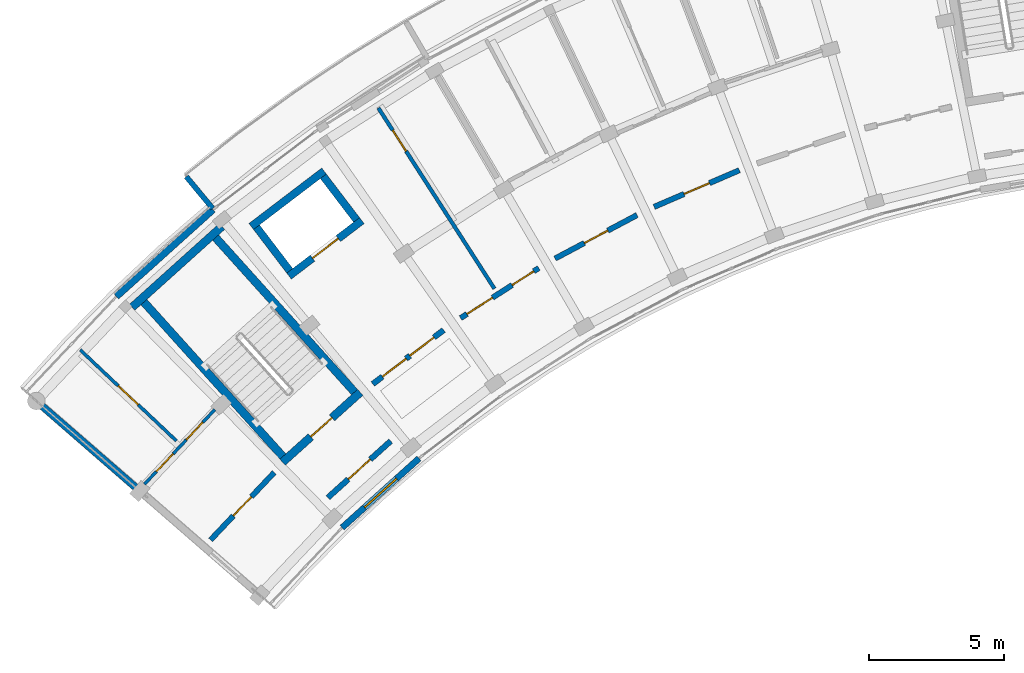
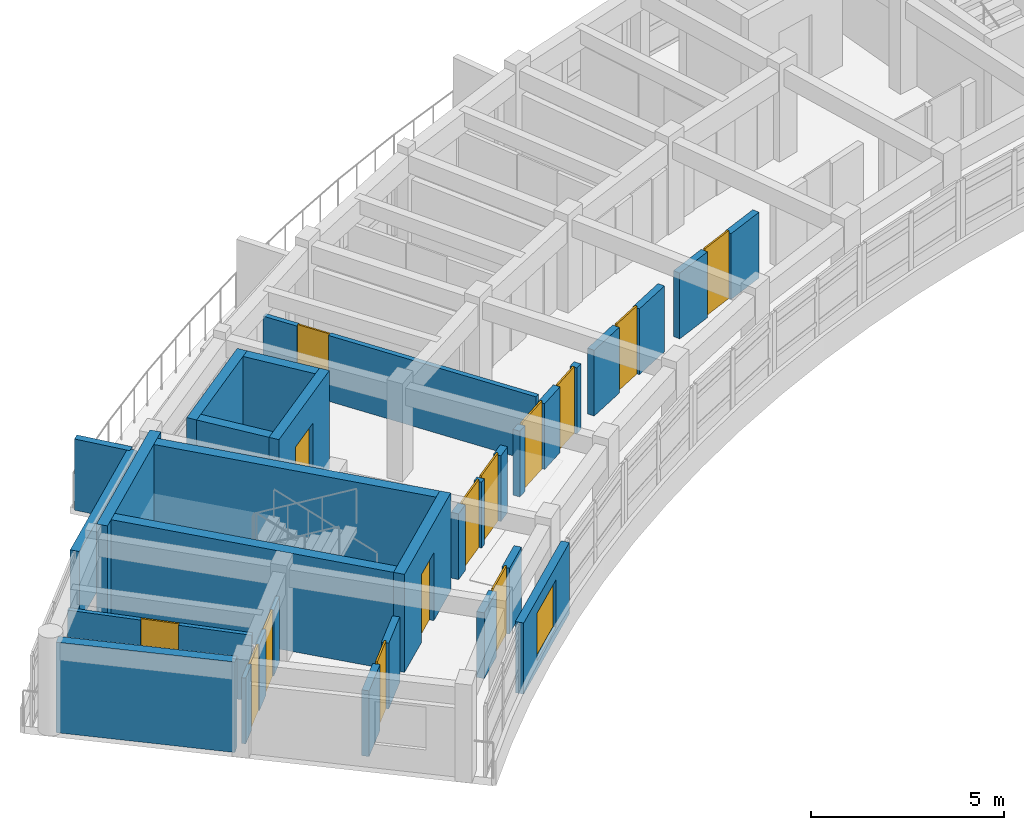
# One storey, part 15 of 20: 21 walls, 14 doors, 1 window, 15 openings.
"""IFC4 building model written with IfcOpenShell, lengths in metres."""

from ifc_helpers import new_model, si_unit, direction, frame, frame_2d, origin, place, context, subcontext, project, spatial, rectangle, extrude, material, layer, layer_set, type_object, element, fill, save


model = new_model("IFC4")

# Units and contexts
model_context = context("Model", 3, precision=1e-05, world=origin(), true_north=direction((0.0, 1.0)))
body_context = subcontext(model_context, "Body", "Model", "MODEL_VIEW")
ifc_project = project(units=[si_unit("LENGTHUNIT", "METRE"), si_unit("AREAUNIT", "SQUARE_METRE"), si_unit("VOLUMEUNIT", "CUBIC_METRE"), si_unit("PLANEANGLEUNIT", "RADIAN"), si_unit("MASSUNIT", "GRAM", prefix="KILO")], contexts=[model_context])

# Site, building, storey
site_placement = place(None, origin())
site = spatial("IfcSite", under=ifc_project, at=site_placement, CompositionType="ELEMENT")
building_placement = place(site_placement, origin())
building = spatial("IfcBuilding", under=site, at=building_placement, Name="Zimvara Arc Housing Community", CompositionType="ELEMENT")
storey_placement = place(building_placement, frame((0.0, 0.0, 39.10009765625)))
storey = spatial("IfcBuildingStorey", under=building, at=storey_placement, Name="L12", CompositionType="ELEMENT", Elevation=39.10009765625)

# Wall, opening, window
ifc_material_1 = material(Name="Board-Marked Fair-Faced Concrete C35/45", Category="concrete")
ifc_layer_1 = layer(ifc_material_1, 0.22998046875)
ifc_layer_set_1 = layer_set([ifc_layer_1], Name="Board-Marked Fair-Faced Concrete C35/45")
wall_type_1 = type_object("IfcWallType", Name="EWL-CONC-230", PredefinedType="SOLIDWALL", material=ifc_layer_set_1)
wall_1_placement = place(storey_placement, frame((11.88427734375, 78.43994140625, 0.0), z_axis=(0.0, 0.0, 1.0), x_axis=(0.743363835609, 0.668887290886, 0.0)))
wall_1 = element("IfcWall", 1, at=wall_1_placement, inside=storey, type_object=wall_type_1, Name="ewall:blkA:L12:in:b1", PredefinedType="SOLIDWALL", context=body_context, shape_type="SweptSolid", body=[
    extrude(rectangle(XDim=3.83203125, YDim=0.22998046875, at=frame_2d((1.916015625, 0.0))), origin(), (0.0, 0.0, 1.0), 2.25),
])
opening_1_placement = place(wall_1_placement, frame((1.1162109375, 0.0, 0.320068359375)))
opening_1 = element("IfcOpeningElement", 2, at=opening_1_placement, cuts=wall_1, Name="Opening W03", PredefinedType="OPENING", context=body_context, shape_type="SweptSolid", body=[
    extrude(rectangle(XDim=1.60009765625, YDim=1.5, at=frame_2d((0.800048828125, 0.75))), frame((0.0, 0.125, 0.0), z_axis=(0.0, -1.0, 0.0), x_axis=(1.0, 0.0, 0.0)), (0.0, 0.0, 1.0), 0.25),
])
ifc_material_2 = material(Name="Solar Control Low-E Double Glazing", Category="glass")
window_type = type_object("IfcWindowType", Name="WIN-RES-1600x1500", PartitioningType="DOUBLE_PANEL_VERTICAL", PredefinedType="WINDOW", material=ifc_material_2)
window_placement = place(opening_1_placement, origin())
window = element("IfcWindow", 3, at=window_placement, inside=storey, type_object=window_type, Name="win:blkA:L12:in:b1", OverallHeight=1.5, OverallWidth=1.60009765625, PartitioningType="DOUBLE_PANEL_VERTICAL", PredefinedType="WINDOW", context=body_context, shape_type="SweptSolid", body=[
    extrude(rectangle(XDim=1.60009765625, YDim=1.5, at=frame_2d((0.800048828125, 0.75))), frame((0.0, 0.030029296875, 0.0), z_axis=(0.0, -1.0, 0.0), x_axis=(1.0, 0.0, 0.0)), (0.0, 0.0, 1.0), 0.06005859375),
])
fill(opening_1, window)

# Walls
ifc_material_3 = material(Name="Board-Marked Fair-Faced Concrete C35/45", Category="concrete")
ifc_layer_2 = layer(ifc_material_3, 0.195068359375)
ifc_layer_set_2 = layer_set([ifc_layer_2], Name="Board-Marked Fair-Faced Concrete C35/45")
wall_type_2 = type_object("IfcWallType", Name="EWL-PARA-195", PredefinedType="PARAPET", material=ifc_layer_set_2)
wall_2_placement = place(storey_placement, frame((7.09228515625, 90.25732421875, 0.0), z_axis=(0.0, 0.0, 1.0), x_axis=(-0.637952984874, 0.770075313908, 0.0)))
element("IfcWall", 4, at=wall_2_placement, inside=storey, type_object=wall_type_2, Name="finwall:blkA:L12:out:b2", PredefinedType="PARAPET", context=body_context, shape_type="SweptSolid", body=[
    extrude(rectangle(XDim=1.530029296875, YDim=0.195068359375, at=frame_2d((0.76513671875, 0.0))), origin(), (0.0, 0.0, 1.0), 2.25),
])
ifc_material_4 = material(Name="Board-Marked Fair-Faced Concrete C35/45", Category="concrete")
ifc_layer_3 = layer(ifc_material_4, 0.251953125)
ifc_layer_set_3 = layer_set([ifc_layer_3], Name="Board-Marked Fair-Faced Concrete C35/45")
wall_type_3 = type_object("IfcWallType", Name="EWL-VAR-18", PredefinedType="SOLIDWALL", material=ifc_layer_set_3)
wall_3_placement = place(storey_placement, frame((3.528076171875, 86.996826171875, 0.0), z_axis=(0.0, 0.0, 1.0), x_axis=(0.743387539862, 0.668860946369, 0.0)))
element("IfcWall", 5, at=wall_3_placement, inside=storey, type_object=wall_type_3, Name="ewall:blkA:L12:out:b1", PredefinedType="SOLIDWALL", context=body_context, shape_type="SweptSolid", body=[
    extrude(rectangle(XDim=4.80908203125, YDim=0.251953125, at=frame_2d((2.404541015625, 0.0))), origin(), (0.0, 0.0, 1.0), 2.25),
])

# Wall, opening, door
ifc_material_5 = material(Name="Concrete C35/45", Category="concrete")
ifc_layer_4 = layer(ifc_material_5, 0.2099609375)
ifc_layer_set_4 = layer_set([ifc_layer_4], Name="Concrete C35/45")
wall_type_4 = type_object("IfcWallType", Name="IWL-CCF-210", PredefinedType="SOLIDWALL", material=ifc_layer_set_4)
wall_4_placement = place(storey_placement, frame((11.357177734375, 79.5517578125, 0.0), z_axis=(0.0, 0.0, 1.0), x_axis=(0.743387266925, 0.668861249718, 0.0)))
wall_4 = element("IfcWall", 6, at=wall_4_placement, inside=storey, type_object=wall_type_4, Name="iwall:blkA:L12:ccf_div:b1", PredefinedType="SOLIDWALL", context=body_context, shape_type="SweptSolid", body=[
    extrude(rectangle(XDim=3.12841796875, YDim=0.2099609375, at=frame_2d((1.564208984375, 0.0))), origin(), (0.0, 0.0, 1.0), 2.079833984375),
])
opening_2_placement = place(wall_4_placement, frame((1.014404296875, 0.0, 0.0)))
opening_2 = element("IfcOpeningElement", 7, at=opening_2_placement, cuts=wall_4, Name="Opening FD-CCF1", PredefinedType="OPENING", context=body_context, shape_type="SweptSolid", body=[
    extrude(rectangle(XDim=1.10009765625, YDim=2.14990234375, at=frame_2d((0.550048828125, 1.074951171875))), frame((0.0, 0.114990234375, 0.0), z_axis=(0.0, -1.0, 0.0), x_axis=(1.0, 0.0, 0.0)), (0.0, 0.0, 1.0), 0.22998046875),
])
ifc_material_6 = material(Name="Anodised Aluminium AW-6063", Category="aluminium")
door_type_1 = type_object("IfcDoorType", Name="IDR-CCF-1100x2150", OperationType="NOTDEFINED", PredefinedType="DOOR", material=ifc_material_6)
door_1_placement = place(opening_2_placement, origin())
door_1 = element("IfcDoor", 8, at=door_1_placement, inside=storey, type_object=door_type_1, Name="idoor:blkA:L12:ccf_in:b1", OperationType="SINGLE_SWING_RIGHT", OverallHeight=2.14990234375, OverallWidth=1.10009765625, PredefinedType="DOOR", context=body_context, shape_type="SweptSolid", body=[
    extrude(rectangle(XDim=1.10009765625, YDim=2.14990234375, at=frame_2d((0.550048828125, 1.074951171875))), frame((0.0, 0.02490234375, 0.0), z_axis=(0.0, -1.0, 0.0), x_axis=(1.0, 0.0, 0.0)), (0.0, 0.0, 1.0), 0.050048828125),
])
fill(opening_2, door_1)

# Wall, openings, doors
wall_5_placement = place(storey_placement, frame((13.021240234375, 83.758544921875, 0.0), z_axis=(0.0, 0.0, 1.0), x_axis=(0.795498026433, 0.605956178235, 0.0)))
wall_5 = element("IfcWall", 9, at=wall_5_placement, inside=storey, type_object=wall_type_4, Name="iwall:blkA:L12:ll_div:b2", PredefinedType="SOLIDWALL", context=body_context, shape_type="SweptSolid", body=[
    extrude(rectangle(XDim=3.296142578125, YDim=0.2099609375, at=frame_2d((1.64794921875, 0.0))), origin(), (0.0, 0.0, 1.0), 2.079833984375),
])
opening_3_placement = place(wall_5_placement, frame((0.449951171875, 0.0, 0.0)))
opening_3 = element("IfcOpeningElement", 10, at=opening_3_placement, cuts=wall_5, Name="Opening FD-CCF1", PredefinedType="OPENING", context=body_context, shape_type="SweptSolid", body=[
    extrude(rectangle(XDim=1.10009765625, YDim=2.14990234375, at=frame_2d((0.550048828125, 1.074951171875))), frame((0.0, 0.114990234375, 0.0), z_axis=(0.0, -1.0, 0.0), x_axis=(1.0, 0.0, 0.0)), (0.0, 0.0, 1.0), 0.22998046875),
])
opening_4_placement = place(wall_5_placement, frame((1.72607421875, 0.0, 0.0)))
opening_4 = element("IfcOpeningElement", 11, at=opening_4_placement, cuts=wall_5, Name="Opening D07", PredefinedType="OPENING", context=body_context, shape_type="SweptSolid", body=[
    extrude(rectangle(XDim=1.1201171875, YDim=2.14990234375, at=frame_2d((0.56005859375, 1.074951171875))), frame((0.0, 0.114990234375, 0.0), z_axis=(0.0, -1.0, 0.0), x_axis=(1.0, 0.0, 0.0)), (0.0, 0.0, 1.0), 0.22998046875),
])
ifc_material_7 = material(Name="Mozambican Hardwood", Category="wood")
door_type_2 = type_object("IfcDoorType", Name="IDR-AMN-1120x2150", OperationType="NOTDEFINED", PredefinedType="DOOR", material=ifc_material_7)
door_2_placement = place(opening_4_placement, origin())
door_2 = element("IfcDoor", 12, at=door_2_placement, inside=storey, type_object=door_type_2, Name="idoor:blkA:L12:rs_in:b2", OperationType="SINGLE_SWING_RIGHT", OverallHeight=2.14990234375, OverallWidth=1.1201171875, PredefinedType="DOOR", context=body_context, shape_type="SweptSolid", body=[
    extrude(rectangle(XDim=1.1201171875, YDim=2.14990234375, at=frame_2d((0.56005859375, 1.074951171875))), frame((0.0, 0.02490234375, 0.0), z_axis=(0.0, -1.0, 0.0), x_axis=(1.0, 0.0, 0.0)), (0.0, 0.0, 1.0), 0.050048828125),
])
fill(opening_4, door_2)
door_3_placement = place(opening_3_placement, origin())
door_3 = element("IfcDoor", 13, at=door_3_placement, inside=storey, type_object=door_type_1, Name="idoor:blkA:L12:ll_in:b2", OperationType="SINGLE_SWING_LEFT", OverallHeight=2.14990234375, OverallWidth=1.10009765625, PredefinedType="DOOR", context=body_context, shape_type="SweptSolid", body=[
    extrude(rectangle(XDim=1.10009765625, YDim=2.14990234375, at=frame_2d((0.550048828125, 1.074951171875))), frame((0.0, 0.02490234375, 0.0), z_axis=(0.0, -1.0, 0.0), x_axis=(1.0, 0.0, 0.0)), (0.0, 0.0, 1.0), 0.050048828125),
])
fill(opening_3, door_3)

# Wall, opening, door
ifc_material_8 = material(Name="Concrete C35/45", Category="concrete")
ifc_layer_5 = layer(ifc_material_8, 0.199951171875)
ifc_layer_set_5 = layer_set([ifc_layer_5], Name="Concrete C35/45")
wall_type_5 = type_object("IfcWallType", Name="IWL-CORR-200", PredefinedType="SOLIDWALL", material=ifc_layer_set_5)
wall_6_placement = place(storey_placement, frame((7.01416015625, 77.98388671875, 0.0), z_axis=(0.0, 0.0, 1.0), x_axis=(0.686310507227, 0.727308660522, 0.0)))
wall_6 = element("IfcWall", 14, at=wall_6_placement, inside=storey, type_object=wall_type_5, Name="iwall:blkA:L12:corr_out:b0", PredefinedType="SOLIDWALL", context=body_context, shape_type="SweptSolid", body=[
    extrude(rectangle(XDim=3.43603515625, YDim=0.199951171875, at=frame_2d((1.718017578125, 0.0))), origin(), (0.0, 0.0, 1.0), 2.079833984375),
])
opening_5_placement = place(wall_6_placement, frame((1.22802734375, 0.0, 0.0)))
opening_5 = element("IfcOpeningElement", 15, at=opening_5_placement, cuts=wall_6, Name="Opening FD-FL1", PredefinedType="OPENING", context=body_context, shape_type="SweptSolid", body=[
    extrude(rectangle(XDim=0.97998046875, YDim=2.14990234375, at=frame_2d((0.489990234375, 1.074951171875))), frame((0.0, 0.10986328125, 0.0), z_axis=(0.0, -1.0, 0.0), x_axis=(1.0, 0.0, 0.0)), (0.0, 0.0, 1.0), 0.219970703125),
])
ifc_material_9 = material(Name="Mozambican Hardwood", Category="wood")
door_type_3 = type_object("IfcDoorType", Name="IDR-FLAT-0980x2150", OperationType="NOTDEFINED", PredefinedType="DOOR", material=ifc_material_9)
door_4_placement = place(opening_5_placement, origin())
door_4 = element("IfcDoor", 16, at=door_4_placement, inside=storey, type_object=door_type_3, Name="idoor:blkA:L12:flat:b0", OperationType="SINGLE_SWING_RIGHT", OverallHeight=2.14990234375, OverallWidth=0.97998046875, PredefinedType="DOOR", context=body_context, shape_type="SweptSolid", body=[
    extrude(rectangle(XDim=0.97998046875, YDim=2.14990234375, at=frame_2d((0.489990234375, 1.074951171875))), frame((0.0, 0.02490234375, 0.0), z_axis=(0.0, -1.0, 0.0), x_axis=(1.0, 0.0, 0.0)), (0.0, 0.0, 1.0), 0.050048828125),
])
fill(opening_5, door_4)

# Wall, openings, doors
wall_7_placement = place(storey_placement, frame((16.272216796875, 86.198974609375, 0.0), z_axis=(0.0, 0.0, 1.0), x_axis=(0.842257205985, 0.539075874963, 0.0)))
wall_7 = element("IfcWall", 17, at=wall_7_placement, inside=storey, type_object=wall_type_5, Name="iwall:blkA:L12:corr_out:b3", PredefinedType="SOLIDWALL", context=body_context, shape_type="SweptSolid", body=[
    extrude(rectangle(XDim=3.43603515625, YDim=0.199951171875, at=frame_2d((1.718017578125, 0.0))), origin(), (0.0, 0.0, 1.0), 2.079833984375),
])
opening_6_placement = place(wall_7_placement, frame((0.280029296875, 0.0, 0.0)))
opening_6 = element("IfcOpeningElement", 18, at=opening_6_placement, cuts=wall_7, Name="Opening D07", PredefinedType="OPENING", context=body_context, shape_type="SweptSolid", body=[
    extrude(rectangle(XDim=1.1201171875, YDim=2.14990234375, at=frame_2d((0.56005859375, 1.074951171875))), frame((0.0, 0.10986328125, 0.0), z_axis=(0.0, -1.0, 0.0), x_axis=(1.0, 0.0, 0.0)), (0.0, 0.0, 1.0), 0.219970703125),
])
opening_7_placement = place(wall_7_placement, frame((2.26611328125, 0.0, 0.0)))
opening_7 = element("IfcOpeningElement", 19, at=opening_7_placement, cuts=wall_7, Name="Opening D06", PredefinedType="OPENING", context=body_context, shape_type="SweptSolid", body=[
    extrude(rectangle(XDim=0.949951171875, YDim=2.10009765625, at=frame_2d((0.47509765625, 1.050048828125))), frame((0.0, 0.10986328125, 0.0), z_axis=(0.0, -1.0, 0.0), x_axis=(1.0, 0.0, 0.0)), (0.0, 0.0, 1.0), 0.219970703125),
])
door_5_placement = place(opening_6_placement, origin())
door_5 = element("IfcDoor", 20, at=door_5_placement, inside=storey, type_object=door_type_2, Name="idoor:blkA:L12:amen:b3", OperationType="SINGLE_SWING_LEFT", OverallHeight=2.14990234375, OverallWidth=1.1201171875, PredefinedType="DOOR", context=body_context, shape_type="SweptSolid", body=[
    extrude(rectangle(XDim=1.1201171875, YDim=2.14990234375, at=frame_2d((0.56005859375, 1.074951171875))), frame((0.0, 0.02490234375, 0.0), z_axis=(0.0, -1.0, 0.0), x_axis=(1.0, 0.0, 0.0)), (0.0, 0.0, 1.0), 0.050048828125),
])
fill(opening_6, door_5)
ifc_material_10 = material(Name="Mozambican Hardwood", Category="wood")
door_type_4 = type_object("IfcDoorType", Name="IDR-AWC-0950x2100", OperationType="NOTDEFINED", PredefinedType="DOOR", material=ifc_material_10)
door_6_placement = place(opening_7_placement, origin())
door_6 = element("IfcDoor", 21, at=door_6_placement, inside=storey, type_object=door_type_4, Name="idoor:blkA:L12:cawc:b3", OperationType="SINGLE_SWING_RIGHT", OverallHeight=2.10009765625, OverallWidth=0.949951171875, PredefinedType="DOOR", context=body_context, shape_type="SweptSolid", body=[
    extrude(rectangle(XDim=0.949951171875, YDim=2.10009765625, at=frame_2d((0.47509765625, 1.050048828125))), frame((0.0, 0.02490234375, 0.0), z_axis=(0.0, -1.0, 0.0), x_axis=(1.0, 0.0, 0.0)), (0.0, 0.0, 1.0), 0.050048828125),
])
fill(opening_7, door_6)

# Wall, opening, door
wall_8_placement = place(storey_placement, frame((19.770263671875, 88.40380859375, 0.0), z_axis=(0.0, 0.0, 1.0), x_axis=(0.883410853063, 0.468599258099, 0.0)))
wall_8 = element("IfcWall", 22, at=wall_8_placement, inside=storey, type_object=wall_type_5, Name="iwall:blkA:L12:corr_out:b4", PredefinedType="SOLIDWALL", context=body_context, shape_type="SweptSolid", body=[
    extrude(rectangle(XDim=3.43603515625, YDim=0.199951171875, at=frame_2d((1.718017578125, 0.0))), origin(), (0.0, 0.0, 1.0), 2.079833984375),
])
opening_8_placement = place(wall_8_placement, frame((1.22802734375, 0.0, 0.0)))
opening_8 = element("IfcOpeningElement", 23, at=opening_8_placement, cuts=wall_8, Name="Opening FD-FL1", PredefinedType="OPENING", context=body_context, shape_type="SweptSolid", body=[
    extrude(rectangle(XDim=0.97998046875, YDim=2.14990234375, at=frame_2d((0.489990234375, 1.074951171875))), frame((0.0, 0.10986328125, 0.0), z_axis=(0.0, -1.0, 0.0), x_axis=(1.0, 0.0, 0.0)), (0.0, 0.0, 1.0), 0.219970703125),
])
door_7_placement = place(opening_8_placement, origin())
door_7 = element("IfcDoor", 24, at=door_7_placement, inside=storey, type_object=door_type_3, Name="idoor:blkA:L12:flat:b4", OperationType="SINGLE_SWING_RIGHT", OverallHeight=2.14990234375, OverallWidth=0.97998046875, PredefinedType="DOOR", context=body_context, shape_type="SweptSolid", body=[
    extrude(rectangle(XDim=0.97998046875, YDim=2.14990234375, at=frame_2d((0.489990234375, 1.074951171875))), frame((0.0, 0.02490234375, 0.0), z_axis=(0.0, -1.0, 0.0), x_axis=(1.0, 0.0, 0.0)), (0.0, 0.0, 1.0), 0.050048828125),
])
fill(opening_8, door_7)

wall_9_placement = place(storey_placement, frame((23.4365234375, 90.31591796875, 0.0), z_axis=(0.0, 0.0, 1.0), x_axis=(0.918718172399, 0.394913813008, 0.0)))
wall_9 = element("IfcWall", 25, at=wall_9_placement, inside=storey, type_object=wall_type_5, Name="iwall:blkA:L12:corr_out:b5", PredefinedType="SOLIDWALL", context=body_context, shape_type="SweptSolid", body=[
    extrude(rectangle(XDim=3.43603515625, YDim=0.199951171875, at=frame_2d((1.718017578125, 0.0))), origin(), (0.0, 0.0, 1.0), 2.079833984375),
])
opening_9_placement = place(wall_9_placement, frame((1.2080078125, 0.0, 0.0)))
opening_9 = element("IfcOpeningElement", 26, at=opening_9_placement, cuts=wall_9, Name="Opening FD-FL2", PredefinedType="OPENING", context=body_context, shape_type="SweptSolid", body=[
    extrude(rectangle(XDim=1.02001953125, YDim=2.14990234375, at=frame_2d((0.510009765625, 1.074951171875))), frame((0.0, 0.10986328125, 0.0), z_axis=(0.0, -1.0, 0.0), x_axis=(1.0, 0.0, 0.0)), (0.0, 0.0, 1.0), 0.219970703125),
])
ifc_material_11 = material(Name="Mozambican Hardwood", Category="wood")
door_type_5 = type_object("IfcDoorType", Name="IDR-FLAT-1020x2150", OperationType="NOTDEFINED", PredefinedType="DOOR", material=ifc_material_11)
door_8_placement = place(opening_9_placement, origin())
door_8 = element("IfcDoor", 27, at=door_8_placement, inside=storey, type_object=door_type_5, Name="idoor:blkA:L12:flat:b5", OperationType="SINGLE_SWING_RIGHT", OverallHeight=2.14990234375, OverallWidth=1.02001953125, PredefinedType="DOOR", context=body_context, shape_type="SweptSolid", body=[
    extrude(rectangle(XDim=1.02001953125, YDim=2.14990234375, at=frame_2d((0.510009765625, 1.074951171875))), frame((0.0, 0.02490234375, 0.0), z_axis=(0.0, -1.0, 0.0), x_axis=(1.0, 0.0, 0.0)), (0.0, 0.0, 1.0), 0.050048828125),
])
fill(opening_9, door_8)

# Wall, openings, doors
ifc_material_12 = material(Name="Painted Acoustic Plasterboard")
ifc_layer_6 = layer(ifc_material_12, 0.114990234375)
ifc_layer_set_6 = layer_set([ifc_layer_6], Name="Painted Acoustic Plasterboard")
wall_type_6 = type_object("IfcWallType", Name="IWL-PART-115", PredefinedType="PARTITIONING", material=ifc_layer_set_6)
wall_10_placement = place(storey_placement, frame((4.564697265625, 80.046875, 0.0), z_axis=(0.0, 0.0, 1.0), x_axis=(0.686300649561, 0.727317962388, 0.0)))
wall_10 = element("IfcWall", 28, at=wall_10_placement, inside=storey, type_object=wall_type_6, Name="iwall:blkA:L12:srv:b0", PredefinedType="PARTITIONING", context=body_context, shape_type="SweptSolid", body=[
    extrude(rectangle(XDim=3.79736328125, YDim=0.114990234375, at=frame_2d((1.898681640625, 0.0))), origin(), (0.0, 0.0, 1.0), 2.079833984375),
])
opening_10_placement = place(wall_10_placement, frame((0.64990234375, 0.0, 0.0)))
opening_10 = element("IfcOpeningElement", 29, at=opening_10_placement, cuts=wall_10, Name="Opening D01", PredefinedType="OPENING", context=body_context, shape_type="SweptSolid", body=[
    extrude(rectangle(XDim=0.89990234375, YDim=2.10009765625, at=frame_2d((0.449951171875, 1.050048828125))), frame((0.0, 0.0673828125, 0.0), z_axis=(0.0, -1.0, 0.0), x_axis=(1.0, 0.0, 0.0)), (0.0, 0.0, 1.0), 0.135009765625),
])
opening_11_placement = place(wall_10_placement, frame((2.267333984375, 0.0, 0.0)))
opening_11 = element("IfcOpeningElement", 30, at=opening_11_placement, cuts=wall_10, Name="Opening D05", PredefinedType="OPENING", context=body_context, shape_type="SweptSolid", body=[
    extrude(rectangle(XDim=0.8798828125, YDim=2.10009765625, at=frame_2d((0.43994140625, 1.050048828125))), frame((0.0, 0.0673828125, 0.0), z_axis=(0.0, -1.0, 0.0), x_axis=(1.0, 0.0, 0.0)), (0.0, 0.0, 1.0), 0.135009765625),
])
ifc_material_13 = material(Name="Mozambican Hardwood", Category="wood")
door_type_6 = type_object("IfcDoorType", Name="IDR-RM-0900x2100", OperationType="NOTDEFINED", PredefinedType="DOOR", material=ifc_material_13)
door_9_placement = place(opening_10_placement, origin())
door_9 = element("IfcDoor", 31, at=door_9_placement, inside=storey, type_object=door_type_6, Name="idoor:blkA:L12:kit_liv:b0", OperationType="SINGLE_SWING_LEFT", OverallHeight=2.10009765625, OverallWidth=0.89990234375, PredefinedType="DOOR", context=body_context, shape_type="SweptSolid", body=[
    extrude(rectangle(XDim=0.89990234375, YDim=2.10009765625, at=frame_2d((0.449951171875, 1.050048828125))), frame((0.0, 0.02490234375, 0.0), z_axis=(0.0, -1.0, 0.0), x_axis=(1.0, 0.0, 0.0)), (0.0, 0.0, 1.0), 0.050048828125),
])
fill(opening_10, door_9)
ifc_material_14 = material(Name="Mozambican Hardwood", Category="wood")
door_type_7 = type_object("IfcDoorType", Name="IDR-WC-0880x2100", OperationType="NOTDEFINED", PredefinedType="DOOR", material=ifc_material_14)
door_10_placement = place(opening_11_placement, origin())
door_10 = element("IfcDoor", 32, at=door_10_placement, inside=storey, type_object=door_type_7, Name="idoor:blkA:L12:bath_d:b0", OperationType="SINGLE_SWING_RIGHT", OverallHeight=2.10009765625, OverallWidth=0.8798828125, PredefinedType="DOOR", context=body_context, shape_type="SweptSolid", body=[
    extrude(rectangle(XDim=0.8798828125, YDim=2.10009765625, at=frame_2d((0.43994140625, 1.050048828125))), frame((0.0, 0.02490234375, 0.0), z_axis=(0.0, -1.0, 0.0), x_axis=(1.0, 0.0, 0.0)), (0.0, 0.0, 1.0), 0.050048828125),
])
fill(opening_11, door_10)

# Wall, opening, door
ifc_material_15 = material(Name="Painted Acoustic Plasterboard")
ifc_layer_7 = layer(ifc_material_15, 0.1201171875)
ifc_layer_set_7 = layer_set([ifc_layer_7], Name="Painted Acoustic Plasterboard")
wall_type_7 = type_object("IfcWallType", Name="IWL-PART-120", PredefinedType="PARTITIONING", material=ifc_layer_set_7)
wall_11_placement = place(storey_placement, frame((5.745849609375, 81.6552734375, 0.0), z_axis=(0.0, 0.0, 1.0), x_axis=(-0.726295620759, 0.687382478149, 0.0)))
wall_11 = element("IfcWall", 33, at=wall_11_placement, inside=storey, type_object=wall_type_7, Name="iwall:blkA:L12:bed_div:b0", PredefinedType="PARTITIONING", context=body_context, shape_type="SweptSolid", body=[
    extrude(rectangle(XDim=4.89990234375, YDim=0.1201171875, at=frame_2d((2.449951171875, 0.0))), origin(), (0.0, 0.0, 1.0), 2.079833984375),
])
opening_12_placement = place(wall_11_placement, frame((1.945068359375, 0.0, 0.0)))
opening_12 = element("IfcOpeningElement", 34, at=opening_12_placement, cuts=wall_11, Name="Opening D15", PredefinedType="OPENING", context=body_context, shape_type="SweptSolid", body=[
    extrude(rectangle(XDim=1.010009765625, YDim=2.10009765625, at=frame_2d((0.5048828125, 1.050048828125))), frame((0.0, 0.070068359375, 0.0), z_axis=(0.0, -1.0, 0.0), x_axis=(1.0, 0.0, 0.0)), (0.0, 0.0, 1.0), 0.14013671875),
])
ifc_material_16 = material(Name="Mozambican Hardwood", Category="wood")
door_type_8 = type_object("IfcDoorType", Name="IDR-MOD-1010x2160", OperationType="NOTDEFINED", PredefinedType="DOOR", material=ifc_material_16)
door_11_placement = place(opening_12_placement, origin())
door_11 = element("IfcDoor", 35, at=door_11_placement, inside=storey, type_object=door_type_8, Name="idoor:blkA:L12:bed_d:b0", OperationType="SINGLE_SWING_LEFT", OverallHeight=2.10009765625, OverallWidth=1.010009765625, PredefinedType="DOOR", context=body_context, shape_type="SweptSolid", body=[
    extrude(rectangle(XDim=1.010009765625, YDim=2.10009765625, at=frame_2d((0.5048828125, 1.050048828125))), frame((0.0, 0.02490234375, 0.0), z_axis=(0.0, -1.0, 0.0), x_axis=(1.0, 0.0, 0.0)), (0.0, 0.0, 1.0), 0.050048828125),
])
fill(opening_12, door_11)

ifc_material_17 = material(Name="Painted Acoustic Plasterboard")
ifc_layer_8 = layer(ifc_material_17, 0.139892578125)
ifc_layer_set_8 = layer_set([ifc_layer_8], Name="Painted Acoustic Plasterboard")
wall_type_8 = type_object("IfcWallType", Name="IWL-PART-140", PredefinedType="PARTITIONING", material=ifc_layer_set_8)
wall_12_placement = place(storey_placement, frame((17.52392578125, 87.287841796875, 0.0), z_axis=(0.0, 0.0, 1.0), x_axis=(-0.540338452216, 0.841447774408, 0.0)))
wall_12 = element("IfcWall", 36, at=wall_12_placement, inside=storey, type_object=wall_type_8, Name="iwall:blkA:L12:amen_div:b3", PredefinedType="PARTITIONING", context=body_context, shape_type="SweptSolid", body=[
    extrude(rectangle(XDim=7.949951171875, YDim=0.139892578125, at=frame_2d((3.97509765625, 0.0))), origin(), (0.0, 0.0, 1.0), 2.079833984375),
])
opening_13_placement = place(wall_12_placement, frame((6.050048828125, 0.0, 0.0)))
opening_13 = element("IfcOpeningElement", 37, at=opening_13_placement, cuts=wall_12, Name="Opening D02", PredefinedType="OPENING", context=body_context, shape_type="SweptSolid", body=[
    extrude(rectangle(XDim=0.919921875, YDim=2.10009765625, at=frame_2d((0.4599609375, 1.050048828125))), frame((0.0, 0.079833984375, 0.0), z_axis=(0.0, -1.0, 0.0), x_axis=(1.0, 0.0, 0.0)), (0.0, 0.0, 1.0), 0.159912109375),
])
ifc_material_18 = material(Name="Mozambican Hardwood", Category="wood")
door_type_9 = type_object("IfcDoorType", Name="IDR-RM-0920x2100", OperationType="NOTDEFINED", PredefinedType="DOOR", material=ifc_material_18)
door_12_placement = place(opening_13_placement, origin())
door_12 = element("IfcDoor", 38, at=door_12_placement, inside=storey, type_object=door_type_9, Name="idoor:blkA:L12:laund_d:b3", OperationType="SINGLE_SWING_LEFT", OverallHeight=2.10009765625, OverallWidth=0.919921875, PredefinedType="DOOR", context=body_context, shape_type="SweptSolid", body=[
    extrude(rectangle(XDim=0.919921875, YDim=2.10009765625, at=frame_2d((0.4599609375, 1.050048828125))), frame((0.0, 0.02490234375, 0.0), z_axis=(0.0, -1.0, 0.0), x_axis=(1.0, 0.0, 0.0)), (0.0, 0.0, 1.0), 0.050048828125),
])
fill(opening_13, door_12)

ifc_material_19 = material(Name="Concrete C40/50", Category="concrete")
ifc_layer_9 = layer(ifc_material_19, 0.280029296875)
ifc_layer_set_9 = layer_set([ifc_layer_9], Name="Concrete C40/50")
wall_type_9 = type_object("IfcWallType", Name="WL-CORE-280", PredefinedType="SHEAR", material=ifc_layer_set_9)
wall_13_placement = place(storey_placement, frame((12.615966796875, 89.80712890625, 0.0), z_axis=(0.0, 0.0, 1.0), x_axis=(-0.795474703455, -0.605986795371, 0.0)))
wall_13 = element("IfcWall", 39, at=wall_13_placement, inside=storey, type_object=wall_type_9, Name="lwall:LF-A1:L12:front", PredefinedType="SHEAR", context=body_context, shape_type="SweptSolid", body=[
    extrude(rectangle(XDim=3.389892578125, YDim=0.280029296875, at=frame_2d((1.69482421875, 0.0))), origin(), (0.0, 0.0, 1.0), 3.099853515625),
])
opening_14_placement = place(wall_13_placement, frame((1.094970703125, 0.0, 0.0)))
opening_14 = element("IfcOpeningElement", 40, at=opening_14_placement, cuts=wall_13, Name="Opening LD-LF-A1", PredefinedType="OPENING", context=body_context, shape_type="SweptSolid", body=[
    extrude(rectangle(XDim=1.199951171875, YDim=2.14990234375, at=frame_2d((0.60009765625, 1.074951171875))), frame((0.0, 0.14990234375, 0.0), z_axis=(0.0, -1.0, 0.0), x_axis=(1.0, 0.0, 0.0)), (0.0, 0.0, 1.0), 0.300048828125),
])
ifc_material_20 = material(Name="Anodised Aluminium AW-6063", Category="aluminium")
door_type_10 = type_object("IfcDoorType", Name="IDR-LD-1200x2150", OperationType="DOUBLE_DOOR_SLIDING", PredefinedType="DOOR", material=ifc_material_20)
door_13_placement = place(opening_14_placement, origin())
door_13 = element("IfcDoor", 41, at=door_13_placement, inside=storey, type_object=door_type_10, Name="Lift LF-A1 Sliding Landing Door L12", OperationType="DOUBLE_DOOR_SLIDING", OverallHeight=2.14990234375, OverallWidth=1.199951171875, PredefinedType="DOOR", context=body_context, shape_type="SweptSolid", body=[
    extrude(rectangle(XDim=1.199951171875, YDim=2.14990234375, at=frame_2d((0.60009765625, 1.074951171875))), frame((0.0, 0.02490234375, 0.0), z_axis=(0.0, -1.0, 0.0), x_axis=(1.0, 0.0, 0.0)), (0.0, 0.0, 1.0), 0.050048828125),
])
fill(opening_14, door_13)

# Walls
wall_14_placement = place(storey_placement, frame((11.216064453125, 91.644775390625, 0.0), z_axis=(0.0, 0.0, 1.0), x_axis=(-0.795439986025, -0.606032365994, 0.0)))
element("IfcWall", 42, at=wall_14_placement, inside=storey, type_object=wall_type_9, Name="lwall:LF-A1:L12:back", PredefinedType="SHEAR", context=body_context, shape_type="SweptSolid", body=[
    extrude(rectangle(XDim=3.389892578125, YDim=0.280029296875, at=frame_2d((1.69482421875, 0.0))), origin(), (0.0, 0.0, 1.0), 3.099853515625),
])
wall_15_placement = place(storey_placement, frame((12.419677734375, 89.833740234375, 0.0), z_axis=(0.0, 0.0, 1.0), x_axis=(-0.605948992168, 0.795503500238, 0.0)))
element("IfcWall", 43, at=wall_15_placement, inside=storey, type_object=wall_type_9, Name="lwall:LF-A1:L12:left", PredefinedType="SHEAR", context=body_context, shape_type="SweptSolid", body=[
    extrude(rectangle(XDim=2.02978515625, YDim=0.280029296875, at=frame_2d((1.014892578125, 0.0))), origin(), (0.0, 0.0, 1.0), 3.099853515625),
])
wall_16_placement = place(storey_placement, frame((9.94580078125, 87.948974609375, 0.0), z_axis=(0.0, 0.0, 1.0), x_axis=(-0.605891019062, 0.795547656033, 0.0)))
element("IfcWall", 44, at=wall_16_placement, inside=storey, type_object=wall_type_9, Name="lwall:LF-A1:L12:right", PredefinedType="SHEAR", context=body_context, shape_type="SweptSolid", body=[
    extrude(rectangle(XDim=2.030029296875, YDim=0.280029296875, at=frame_2d((1.01513671875, 0.0))), origin(), (0.0, 0.0, 1.0), 3.099853515625),
])

# Wall, opening, door
ifc_material_21 = material(Name="Concrete C40/50", Category="concrete")
ifc_layer_10 = layer(ifc_material_21, 0.300048828125)
ifc_layer_set_10 = layer_set([ifc_layer_10], Name="Concrete C40/50")
wall_type_10 = type_object("IfcWallType", Name="WL-CORE-300", PredefinedType="SHEAR", material=ifc_layer_set_10)
wall_17_placement = place(storey_placement, frame((12.556884765625, 83.4501953125, 0.0), z_axis=(0.0, 0.0, 1.0), x_axis=(-0.743375696158, -0.668874109501, 0.0)))
wall_17 = element("IfcWall", 45, at=wall_17_placement, inside=storey, type_object=wall_type_10, Name="cwall:ST-A1:L12:near", PredefinedType="SHEAR", context=body_context, shape_type="SweptSolid", body=[
    extrude(rectangle(XDim=3.8701171875, YDim=0.300048828125, at=frame_2d((1.93505859375, 0.0))), origin(), (0.0, 0.0, 1.0), 3.099853515625),
])
opening_15_placement = place(wall_17_placement, frame((1.409912109375, 0.0, 0.0)))
opening_15 = element("IfcOpeningElement", 46, at=opening_15_placement, cuts=wall_17, Name="Opening FD-ST2", PredefinedType="OPENING", context=body_context, shape_type="SweptSolid", body=[
    extrude(rectangle(XDim=1.050048828125, YDim=2.14990234375, at=frame_2d((0.52490234375, 1.074951171875))), frame((0.0, 0.159912109375, 0.0), z_axis=(0.0, -1.0, 0.0), x_axis=(1.0, 0.0, 0.0)), (0.0, 0.0, 1.0), 0.320068359375),
])
ifc_material_22 = material(Name="Anodised Aluminium AW-6063", Category="aluminium")
door_type_11 = type_object("IfcDoorType", Name="IDR-ST-1050x2150", OperationType="NOTDEFINED", PredefinedType="DOOR", material=ifc_material_22)
door_14_placement = place(opening_15_placement, origin())
door_14 = element("IfcDoor", 47, at=door_14_placement, inside=storey, type_object=door_type_11, Name="idoor:ST-A1:L12:entry", OperationType="SINGLE_SWING_RIGHT", OverallHeight=2.14990234375, OverallWidth=1.050048828125, PredefinedType="DOOR", context=body_context, shape_type="SweptSolid", body=[
    extrude(rectangle(XDim=1.050048828125, YDim=2.14990234375, at=frame_2d((0.52490234375, 1.074951171875))), frame((0.0, 0.02490234375, 0.0), z_axis=(0.0, -1.0, 0.0), x_axis=(1.0, 0.0, 0.0)), (0.0, 0.0, 1.0), 0.050048828125),
])
fill(opening_15, door_14)

# Walls
wall_18_placement = place(storey_placement, frame((7.435546875, 89.59033203125, 0.0), z_axis=(0.0, 0.0, 1.0), x_axis=(-0.743400052815, -0.668847038922, 0.0)))
element("IfcWall", 48, at=wall_18_placement, inside=storey, type_object=wall_type_10, Name="cwall:ST-A1:L12:far", PredefinedType="SHEAR", context=body_context, shape_type="SweptSolid", body=[
    extrude(rectangle(XDim=4.469970703125, YDim=0.300048828125, at=frame_2d((2.23486328125, 0.0))), origin(), (0.0, 0.0, 1.0), 3.099853515625),
])
wall_19_placement = place(storey_placement, frame((12.344970703125, 83.461181640625, 0.0), z_axis=(0.0, 0.0, 1.0), x_axis=(-0.668868253964, 0.743380964808, 0.0)))
element("IfcWall", 49, at=wall_19_placement, inside=storey, type_object=wall_type_10, Name="cwall:ST-A1:L12:left", PredefinedType="SHEAR", context=body_context, shape_type="SweptSolid", body=[
    extrude(rectangle(XDim=7.68994140625, YDim=0.300048828125, at=frame_2d((3.844970703125, 0.0))), origin(), (0.0, 0.0, 1.0), 3.099853515625),
])
wall_20_placement = place(storey_placement, frame((9.691162109375, 81.073486328125, 0.0), z_axis=(0.0, 0.0, 1.0), x_axis=(-0.668885797871, 0.743365179038, 0.0)))
element("IfcWall", 50, at=wall_20_placement, inside=storey, type_object=wall_type_10, Name="cwall:ST-A1:L12:right", PredefinedType="SHEAR", context=body_context, shape_type="SweptSolid", body=[
    extrude(rectangle(XDim=7.690185546875, YDim=0.300048828125, at=frame_2d((3.84521484375, 0.0))), origin(), (0.0, 0.0, 1.0), 3.099853515625),
])
ifc_material_23 = material(Name="Concrete C40/50", Category="concrete")
ifc_layer_11 = layer(ifc_material_23, 0.27001953125)
ifc_layer_set_11 = layer_set([ifc_layer_11], Name="Concrete C40/50")
wall_type_11 = type_object("IfcWallType", Name="WL-SHEAR-270", PredefinedType="SHEAR", material=ifc_layer_set_11)
wall_21_placement = place(storey_placement, frame((4.2607421875, 79.9140625, 0.0), z_axis=(0.0, 0.0, 1.0), x_axis=(-0.754703505217, 0.65606601742, 0.0)))
element("IfcWall", 51, at=wall_21_placement, inside=storey, type_object=wall_type_11, Name="swall:blkA:L12:west", PredefinedType="SHEAR", context=body_context, shape_type="SweptSolid", body=[
    extrude(rectangle(XDim=4.719970703125, YDim=0.27001953125, at=frame_2d((2.35986328125, 0.0))), origin(), (0.0, 0.0, 1.0), 2.85986328125),
])

save(model, "model.ifc")
